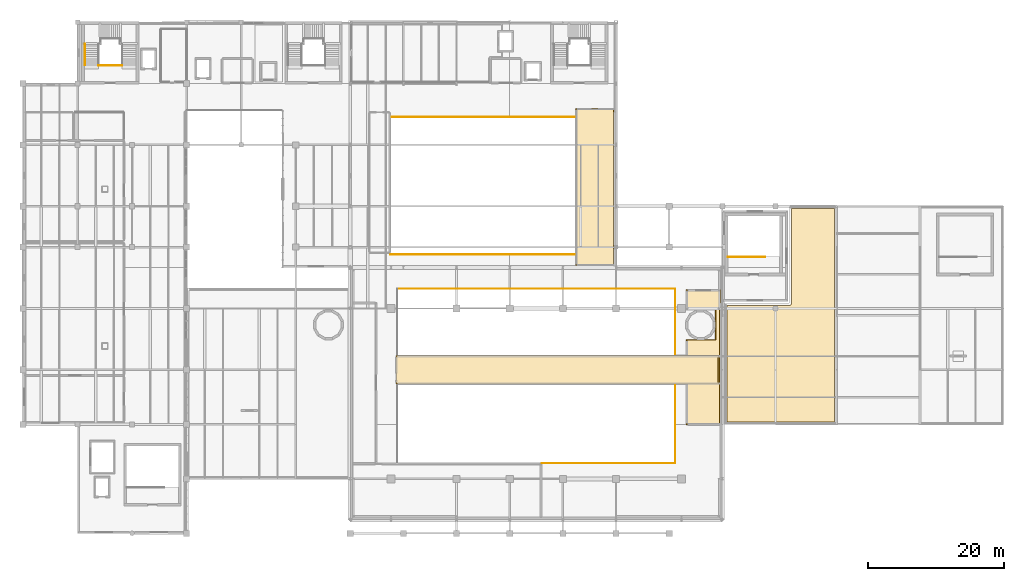
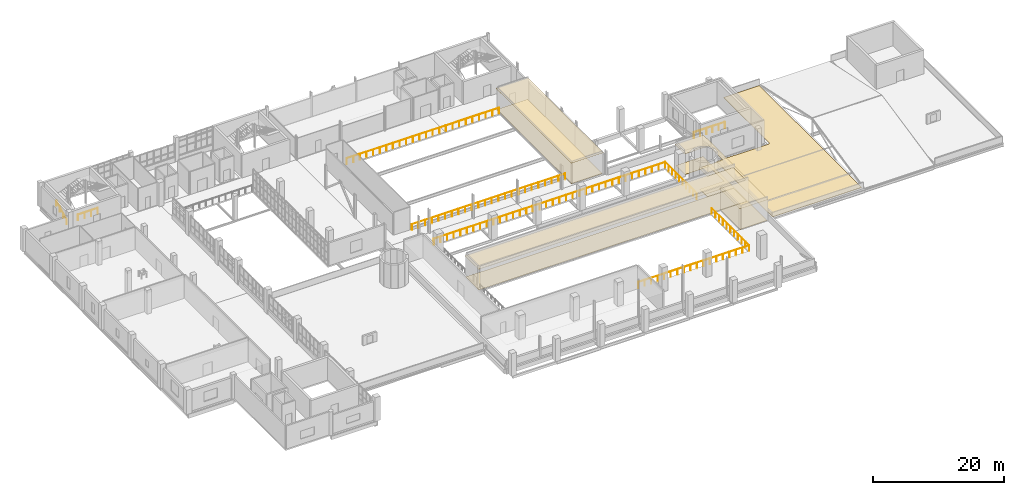
# One storey, part 84 of 85: 9 railings, 7 coverings.
"""IFC4 building model written with IfcOpenShell, lengths in metres."""

from ifc_helpers import new_model, si_unit, derived_unit, direction, frame, origin, origin_2d, place, context, subcontext, project, spatial, polyline, circle, outline, extrude, material, layer, layer_set, type_object, element, save


model = new_model("IFC4")

# Units and contexts
model_context = context("Model", 3, precision=1e-05, world=origin(), true_north=direction((0.0, 1.0)))
body_context = subcontext(model_context, "Body", "Model", "MODEL_VIEW")
ifc_project = project(units=[si_unit("LENGTHUNIT", "METRE"), si_unit("AREAUNIT", "SQUARE_METRE"), si_unit("VOLUMEUNIT", "CUBIC_METRE"), si_unit("PLANEANGLEUNIT", "RADIAN"), si_unit("MASSUNIT", "GRAM", prefix="KILO"), derived_unit("THERMALTRANSMITTANCEUNIT", [(si_unit("POWERUNIT", "WATT"), 1), (si_unit("LENGTHUNIT", "METRE"), -2), (si_unit("THERMODYNAMICTEMPERATUREUNIT", "KELVIN"), -1)])], contexts=[model_context])

# Site, building, storey
site_placement = place(None, origin())
site = spatial("IfcSite", under=ifc_project, at=site_placement, CompositionType="ELEMENT")
building_placement = place(site_placement, origin())
building = spatial("IfcBuilding", under=site, at=building_placement, Name="Nallur Shell Playhouse", CompositionType="ELEMENT")
storey_placement = place(building_placement, frame((0.0, 0.0, 19.800048828125)))
storey = spatial("IfcBuildingStorey", under=building, at=storey_placement, Name="L05", CompositionType="ELEMENT", Elevation=19.800048828125)

# Coverings
ifc_material_1 = material(Name="Micro-Perforated Teak Veneer Acoustic Baffle Ceiling")
ifc_layer_1 = layer(ifc_material_1, 0.044921875)
ifc_layer_set_1 = layer_set([ifc_layer_1], Name="Micro-Perforated Teak Veneer Acoustic Baffle Ceiling")
covering_type_1 = type_object("IfcCoveringType", Name="CV-CEIL-AC1", PredefinedType="CEILING", material=ifc_layer_set_1)
covering_1_placement = place(storey_placement, frame((0.0, 0.0, 3.905029296875)))
element("IfcCovering", 1, at=covering_1_placement, inside=storey, type_object=covering_type_1, Name="Main Theatre Acoustic Ceiling & Front-of-House Lighting Bridge suspended acoustic ceiling", PredefinedType="CEILING", context=body_context, shape_type="SweptSolid", body=[
    extrude(outline(polyline([(118.110107421875, 29.889892578125), (70.68994140625, 29.889892578125), (70.68994140625, 34.110107421875), (118.110107421875, 34.110107421875), (118.110107421875, 29.889892578125)])), origin(), (0.0, 0.0, 1.0), 0.044921875),
])
covering_2_placement = place(storey_placement, frame((0.0, 0.0, 3.905029296875)))
element("IfcCovering", 2, at=covering_2_placement, inside=storey, type_object=covering_type_1, Name="Repertoire Prop & Mask Archive suspended acoustic ceiling", PredefinedType="CEILING", context=body_context, shape_type="SweptSolid", body=[
    extrude(outline(polyline([(102.7099609375, 47.2900390625), (97.090087890625, 47.2900390625), (97.090087890625, 70.31005859375), (102.7099609375, 70.31005859375), (102.7099609375, 47.2900390625)])), origin(), (0.0, 0.0, 1.0), 0.044921875),
])
ifc_material_2 = material(Name="Mineral-Fibre High-NRC Suspended Ceiling Tile")
ifc_layer_2 = layer(ifc_material_2, 0.030029296875)
ifc_layer_set_2 = layer_set([ifc_layer_2], Name="Mineral-Fibre High-NRC Suspended Ceiling Tile")
covering_type_2 = type_object("IfcCoveringType", Name="CV-CEIL-AC2", PredefinedType="CEILING", material=ifc_layer_set_2)
covering_3_placement = place(storey_placement, frame((0.0, 0.0, 3.919921875)))
element("IfcCovering", 3, at=covering_3_placement, inside=storey, type_object=covering_type_2, Name="Main Theatre East Followspot & Acoustic Reflector Gallery suspended acoustic ceiling", PredefinedType="CEILING", context=body_context, shape_type="SweptSolid", body=[
    extrude(outline(polyline([(113.2900390625, 23.889892578125), (113.2900390625, 30.080078125), (117.919921875, 30.080078125), (117.919921875, 33.919921875), (113.2900390625, 33.919921875), (113.2900390625, 36.4599609375), (117.5400390625, 36.4599609375), (117.5400390625, 40.739990234375), (113.2900390625, 40.739990234375), (113.2900390625, 43.760009765625), (118.31005859375, 43.760009765625), (118.31005859375, 23.889892578125), (113.2900390625, 23.889892578125)])), origin(), (0.0, 0.0, 1.0), 0.030029296875),
])
ifc_material_3 = material(Name="Heavy-Duty Woven Wool Auditorium Acoustic Flooring")
ifc_layer_3 = layer(ifc_material_3, 0.02001953125)
ifc_layer_set_3 = layer_set([ifc_layer_3], Name="Heavy-Duty Woven Wool Auditorium Acoustic Flooring")
covering_type_3 = type_object("IfcCoveringType", Name="CV-FLOR-CARPET", PredefinedType="FLOORING", material=ifc_layer_set_3)
covering_4_placement = place(storey_placement, origin())
element("IfcCovering", 4, at=covering_4_placement, inside=storey, type_object=covering_type_3, Name="Main Theatre Acoustic Ceiling & Front-of-House Lighting Bridge floor finish", PredefinedType="FLOORING", context=body_context, shape_type="SweptSolid", body=[
    extrude(outline(polyline([(118.0, 30.0), (70.800048828125, 30.0), (70.800048828125, 34.0), (118.0, 34.0), (118.0, 30.0)])), origin(), (0.0, 0.0, 1.0), 0.02001953125),
])
covering_5_placement = place(storey_placement, origin())
element("IfcCovering", 5, at=covering_5_placement, inside=storey, type_object=covering_type_3, Name="Main Theatre East Followspot & Acoustic Reflector Gallery floor finish", PredefinedType="FLOORING", context=body_context, shape_type="SweptSolid", body=[
    extrude(outline(polyline([(113.39990234375, 24.0), (113.39990234375, 29.969970703125), (118.0, 29.969970703125), (118.0029296875, 29.97021484375), (118.005859375, 29.970703125), (118.0087890625, 29.97119140625), (118.011474609375, 29.972412109375), (118.01416015625, 29.973388671875), (118.0166015625, 29.97509765625), (118.01904296875, 29.976806640625), (118.021240234375, 29.978759765625), (118.023193359375, 29.98095703125), (118.02490234375, 29.9833984375), (118.026611328125, 29.98583984375), (118.027587890625, 29.988525390625), (118.02880859375, 29.9912109375), (118.029296875, 29.994140625), (118.02978515625, 29.9970703125), (118.030029296875, 30.0), (118.030029296875, 34.0), (118.02978515625, 34.0029296875), (118.029296875, 34.005859375), (118.02880859375, 34.0087890625), (118.027587890625, 34.011474609375), (118.026611328125, 34.01416015625), (118.02490234375, 34.0166015625), (118.023193359375, 34.01904296875), (118.021240234375, 34.021240234375), (118.01904296875, 34.023193359375), (118.0166015625, 34.02490234375), (118.01416015625, 34.026611328125), (118.011474609375, 34.027587890625), (118.0087890625, 34.02880859375), (118.005859375, 34.029296875), (118.0029296875, 34.02978515625), (118.0, 34.030029296875), (113.39990234375, 34.030029296875), (113.39990234375, 36.35009765625), (117.64990234375, 36.35009765625), (117.64990234375, 40.85009765625), (113.39990234375, 40.85009765625), (113.39990234375, 43.64990234375), (118.199951171875, 43.64990234375), (118.199951171875, 24.0), (113.39990234375, 24.0)])), origin(), (0.0, 0.0, 1.0), 0.02001953125),
])
ifc_material_4 = material(Name="Polished Chettinad Oxide & White Marble Terrazzo Flooring", Category="masonry")
ifc_layer_4 = layer(ifc_material_4, 0.050048828125)
ifc_layer_set_4 = layer_set([ifc_layer_4], Name="Polished Chettinad Oxide & White Marble Terrazzo Flooring")
covering_type_4 = type_object("IfcCoveringType", Name="CV-FLOR-TERRAZZO", PredefinedType="FLOORING", material=ifc_layer_set_4)
covering_6_placement = place(storey_placement, origin())
element("IfcCovering", 6, at=covering_6_placement, inside=storey, type_object=covering_type_4, Name="Repertoire Prop & Mask Archive floor finish", PredefinedType="FLOORING", context=body_context, shape_type="SweptSolid", body=[
    extrude(outline(polyline([(102.60009765625, 47.39990234375), (97.199951171875, 47.39990234375), (97.199951171875, 70.199951171875), (102.60009765625, 70.199951171875), (102.60009765625, 47.39990234375)])), origin(), (0.0, 0.0, 1.0), 0.050048828125),
])
ifc_material_5 = material(Name="TPO Reflective Waterproofing & Rigid PIR Roof Insulation")
ifc_layer_5 = layer(ifc_material_5, 0.06494140625)
ifc_layer_set_5 = layer_set([ifc_layer_5], Name="TPO Reflective Waterproofing & Rigid PIR Roof Insulation")
covering_type_5 = type_object("IfcCoveringType", Name="CV-ROOF-MEMB1", PredefinedType="ROOFING", material=ifc_layer_set_5)
covering_7_placement = place(storey_placement, origin())
element("IfcCovering", 7, at=covering_7_placement, inside=storey, type_object=covering_type_5, Name="L05 insulated waterproof roof covering 25", PredefinedType="ROOFING", context=body_context, shape_type="SweptSolid", body=[
    extrude(outline(polyline([(119.300048828125, 41.449951171875), (128.39990234375, 41.449951171875), (128.434326171875, 41.45166015625), (128.46826171875, 41.456787109375), (128.501708984375, 41.465087890625), (128.533935546875, 41.4765625), (128.56494140625, 41.4912109375), (128.594482421875, 41.509033203125), (128.6220703125, 41.529296875), (128.6474609375, 41.552490234375), (128.670654296875, 41.577880859375), (128.69091796875, 41.605712890625), (128.708740234375, 41.635009765625), (128.723388671875, 41.666015625), (128.73486328125, 41.698486328125), (128.743408203125, 41.731689453125), (128.748291015625, 41.765625), (128.75, 41.800048828125), (128.75, 55.64990234375), (135.050048828125, 55.64990234375), (135.050048828125, 24.35009765625), (119.300048828125, 24.35009765625), (119.300048828125, 41.449951171875)])), origin(), (0.0, 0.0, 1.0), 0.06494140625),
])

# Railings
ifc_material_6 = material(Name="Bronze-Anodised Foyer Void Acoustic Glass Guardrail", Category="glass")
railing_type_1 = type_object("IfcRailingType", Name="RL-BAL-1100", PredefinedType="BALUSTRADE", material=ifc_material_6)
railing_1_placement = place(storey_placement, frame((92.13525390625, 18.300048828125, 0.0)))
element("IfcRailing", 8, at=railing_1_placement, inside=storey, type_object=railing_type_1, Name="L05 interior void balustrade 027", PredefinedType="BALUSTRADE", context=body_context, shape_type="SweptSolid", body=[
    extrude(circle(Radius=0.02392578125, at=origin_2d()), frame((0.0, 0.0, 1.09619140625), z_axis=(1.0, 0.0, 0.0), x_axis=(0.0, 1.0, 0.0)), (0.0, 0.0, 1.0), 19.564697265625),
    extrude(circle(Radius=0.02099609375, at=origin_2d()), origin(), (0.0, 0.0, 1.0), 1.072021484375),
    extrude(circle(Radius=0.02099609375, at=origin_2d()), frame((1.15087890625, 0.0, 0.0)), (0.0, 0.0, 1.0), 1.072021484375),
    extrude(circle(Radius=0.02099609375, at=origin_2d()), frame((2.3017578125, 0.0, 0.0)), (0.0, 0.0, 1.0), 1.072021484375),
    extrude(circle(Radius=0.02099609375, at=origin_2d()), frame((3.45263671875, 0.0, 0.0)), (0.0, 0.0, 1.0), 1.072021484375),
    extrude(circle(Radius=0.02099609375, at=origin_2d()), frame((4.603515625, 0.0, 0.0)), (0.0, 0.0, 1.0), 1.072021484375),
    extrude(circle(Radius=0.02099609375, at=origin_2d()), frame((5.75439453125, 0.0, 0.0)), (0.0, 0.0, 1.0), 1.072021484375),
    extrude(circle(Radius=0.02099609375, at=origin_2d()), frame((6.9052734375, 0.0, 0.0)), (0.0, 0.0, 1.0), 1.072021484375),
    extrude(circle(Radius=0.02099609375, at=origin_2d()), frame((8.05615234375, 0.0, 0.0)), (0.0, 0.0, 1.0), 1.072021484375),
    extrude(circle(Radius=0.02099609375, at=origin_2d()), frame((9.20703125, 0.0, 0.0)), (0.0, 0.0, 1.0), 1.072021484375),
    extrude(circle(Radius=0.02099609375, at=origin_2d()), frame((10.357666015625, 0.0, 0.0)), (0.0, 0.0, 1.0), 1.072021484375),
    extrude(circle(Radius=0.02099609375, at=origin_2d()), frame((11.508544921875, 0.0, 0.0)), (0.0, 0.0, 1.0), 1.072021484375),
    extrude(circle(Radius=0.02099609375, at=origin_2d()), frame((12.659423828125, 0.0, 0.0)), (0.0, 0.0, 1.0), 1.072021484375),
    extrude(circle(Radius=0.02099609375, at=origin_2d()), frame((13.810302734375, 0.0, 0.0)), (0.0, 0.0, 1.0), 1.072021484375),
    extrude(circle(Radius=0.02099609375, at=origin_2d()), frame((14.961181640625, 0.0, 0.0)), (0.0, 0.0, 1.0), 1.072021484375),
    extrude(circle(Radius=0.02099609375, at=origin_2d()), frame((16.112060546875, 0.0, 0.0)), (0.0, 0.0, 1.0), 1.072021484375),
    extrude(circle(Radius=0.02099609375, at=origin_2d()), frame((17.262939453125, 0.0, 0.0)), (0.0, 0.0, 1.0), 1.072021484375),
    extrude(circle(Radius=0.02099609375, at=origin_2d()), frame((18.413818359375, 0.0, 0.0)), (0.0, 0.0, 1.0), 1.072021484375),
    extrude(circle(Radius=0.02099609375, at=origin_2d()), frame((19.564697265625, 0.0, 0.0)), (0.0, 0.0, 1.0), 1.072021484375),
])
railing_2_placement = place(storey_placement, frame((111.699951171875, 18.300048828125, 0.0)))
element("IfcRailing", 9, at=railing_2_placement, inside=storey, type_object=railing_type_1, Name="L05 interior void balustrade 028", PredefinedType="BALUSTRADE", context=body_context, shape_type="SweptSolid", body=[
    extrude(circle(Radius=0.02392578125, at=origin_2d()), frame((0.0, 0.0, 1.09619140625), z_axis=(0.0, 1.0, 0.0), x_axis=(-1.0, 0.0, 0.0)), (0.0, 0.0, 1.0), 11.419921875),
    extrude(circle(Radius=0.02099609375, at=origin_2d()), origin(), (0.0, 0.0, 1.0), 1.072021484375),
    extrude(circle(Radius=0.02099609375, at=origin_2d()), frame((0.0, 1.14208984375, 0.0)), (0.0, 0.0, 1.0), 1.072021484375),
    extrude(circle(Radius=0.02099609375, at=origin_2d()), frame((0.0, 2.283935546875, 0.0)), (0.0, 0.0, 1.0), 1.072021484375),
    extrude(circle(Radius=0.02099609375, at=origin_2d()), frame((0.0, 3.426025390625, 0.0)), (0.0, 0.0, 1.0), 1.072021484375),
    extrude(circle(Radius=0.02099609375, at=origin_2d()), frame((0.0, 4.56787109375, 0.0)), (0.0, 0.0, 1.0), 1.072021484375),
    extrude(circle(Radius=0.02099609375, at=origin_2d()), frame((0.0, 5.7099609375, 0.0)), (0.0, 0.0, 1.0), 1.072021484375),
    extrude(circle(Radius=0.02099609375, at=origin_2d()), frame((0.0, 6.85205078125, 0.0)), (0.0, 0.0, 1.0), 1.072021484375),
    extrude(circle(Radius=0.02099609375, at=origin_2d()), frame((0.0, 7.993896484375, 0.0)), (0.0, 0.0, 1.0), 1.072021484375),
    extrude(circle(Radius=0.02099609375, at=origin_2d()), frame((0.0, 9.135986328125, 0.0)), (0.0, 0.0, 1.0), 1.072021484375),
    extrude(circle(Radius=0.02099609375, at=origin_2d()), frame((0.0, 10.27783203125, 0.0)), (0.0, 0.0, 1.0), 1.072021484375),
    extrude(circle(Radius=0.02099609375, at=origin_2d()), frame((0.0, 11.419921875, 0.0)), (0.0, 0.0, 1.0), 1.072021484375),
])
railing_3_placement = place(storey_placement, frame((111.699951171875, 34.280029296875, 0.0)))
element("IfcRailing", 10, at=railing_3_placement, inside=storey, type_object=railing_type_1, Name="L05 interior void balustrade 030", PredefinedType="BALUSTRADE", context=body_context, shape_type="SweptSolid", body=[
    extrude(circle(Radius=0.02392578125, at=origin_2d()), frame((0.0, 0.0, 1.09619140625), z_axis=(0.0, 1.0, 0.0), x_axis=(-1.0, 0.0, 0.0)), (0.0, 0.0, 1.0), 9.619873046875),
    extrude(circle(Radius=0.02099609375, at=origin_2d()), origin(), (0.0, 0.0, 1.0), 1.072021484375),
    extrude(circle(Radius=0.02099609375, at=origin_2d()), frame((0.0, 1.06884765625, 0.0)), (0.0, 0.0, 1.0), 1.072021484375),
    extrude(circle(Radius=0.02099609375, at=origin_2d()), frame((0.0, 2.1376953125, 0.0)), (0.0, 0.0, 1.0), 1.072021484375),
    extrude(circle(Radius=0.02099609375, at=origin_2d()), frame((0.0, 3.20654296875, 0.0)), (0.0, 0.0, 1.0), 1.072021484375),
    extrude(circle(Radius=0.02099609375, at=origin_2d()), frame((0.0, 4.275390625, 0.0)), (0.0, 0.0, 1.0), 1.072021484375),
    extrude(circle(Radius=0.02099609375, at=origin_2d()), frame((0.0, 5.344482421875, 0.0)), (0.0, 0.0, 1.0), 1.072021484375),
    extrude(circle(Radius=0.02099609375, at=origin_2d()), frame((0.0, 6.413330078125, 0.0)), (0.0, 0.0, 1.0), 1.072021484375),
    extrude(circle(Radius=0.02099609375, at=origin_2d()), frame((0.0, 7.482177734375, 0.0)), (0.0, 0.0, 1.0), 1.072021484375),
    extrude(circle(Radius=0.02099609375, at=origin_2d()), frame((0.0, 8.551025390625, 0.0)), (0.0, 0.0, 1.0), 1.072021484375),
    extrude(circle(Radius=0.02099609375, at=origin_2d()), frame((0.0, 9.619873046875, 0.0)), (0.0, 0.0, 1.0), 1.072021484375),
])
railing_4_placement = place(storey_placement, frame((111.699951171875, 43.89990234375, 0.0)))
element("IfcRailing", 11, at=railing_4_placement, inside=storey, type_object=railing_type_1, Name="L05 interior void balustrade 031", PredefinedType="BALUSTRADE", context=body_context, shape_type="SweptSolid", body=[
    extrude(circle(Radius=0.02392578125, at=origin_2d()), frame((0.0, 0.0, 1.09619140625), z_axis=(-1.0, 0.0, 0.0), x_axis=(0.0, -1.0, 0.0)), (0.0, 0.0, 1.0), 40.800048828125),
    extrude(circle(Radius=0.02099609375, at=origin_2d()), origin(), (0.0, 0.0, 1.0), 1.072021484375),
    extrude(circle(Radius=0.02099609375, at=origin_2d()), frame((-1.165771484375, 0.0, 0.0)), (0.0, 0.0, 1.0), 1.072021484375),
    extrude(circle(Radius=0.02099609375, at=origin_2d()), frame((-2.33154296875, 0.0, 0.0)), (0.0, 0.0, 1.0), 1.072021484375),
    extrude(circle(Radius=0.02099609375, at=origin_2d()), frame((-3.4970703125, 0.0, 0.0)), (0.0, 0.0, 1.0), 1.072021484375),
    extrude(circle(Radius=0.02099609375, at=origin_2d()), frame((-4.662841796875, 0.0, 0.0)), (0.0, 0.0, 1.0), 1.072021484375),
    extrude(circle(Radius=0.02099609375, at=origin_2d()), frame((-5.82861328125, 0.0, 0.0)), (0.0, 0.0, 1.0), 1.072021484375),
    extrude(circle(Radius=0.02099609375, at=origin_2d()), frame((-6.994384765625, 0.0, 0.0)), (0.0, 0.0, 1.0), 1.072021484375),
    extrude(circle(Radius=0.02099609375, at=origin_2d()), frame((-8.159912109375, 0.0, 0.0)), (0.0, 0.0, 1.0), 1.072021484375),
    extrude(circle(Radius=0.02099609375, at=origin_2d()), frame((-9.32568359375, 0.0, 0.0)), (0.0, 0.0, 1.0), 1.072021484375),
    extrude(circle(Radius=0.02099609375, at=origin_2d()), frame((-10.491455078125, 0.0, 0.0)), (0.0, 0.0, 1.0), 1.072021484375),
    extrude(circle(Radius=0.02099609375, at=origin_2d()), frame((-11.6572265625, 0.0, 0.0)), (0.0, 0.0, 1.0), 1.072021484375),
    extrude(circle(Radius=0.02099609375, at=origin_2d()), frame((-12.82275390625, 0.0, 0.0)), (0.0, 0.0, 1.0), 1.072021484375),
    extrude(circle(Radius=0.02099609375, at=origin_2d()), frame((-13.988525390625, 0.0, 0.0)), (0.0, 0.0, 1.0), 1.072021484375),
    extrude(circle(Radius=0.02099609375, at=origin_2d()), frame((-15.154296875, 0.0, 0.0)), (0.0, 0.0, 1.0), 1.072021484375),
    extrude(circle(Radius=0.02099609375, at=origin_2d()), frame((-16.320068359375, 0.0, 0.0)), (0.0, 0.0, 1.0), 1.072021484375),
    extrude(circle(Radius=0.02099609375, at=origin_2d()), frame((-17.48583984375, 0.0, 0.0)), (0.0, 0.0, 1.0), 1.072021484375),
    extrude(circle(Radius=0.02099609375, at=origin_2d()), frame((-18.6513671875, 0.0, 0.0)), (0.0, 0.0, 1.0), 1.072021484375),
    extrude(circle(Radius=0.02099609375, at=origin_2d()), frame((-19.817138671875, 0.0, 0.0)), (0.0, 0.0, 1.0), 1.072021484375),
    extrude(circle(Radius=0.02099609375, at=origin_2d()), frame((-20.98291015625, 0.0, 0.0)), (0.0, 0.0, 1.0), 1.072021484375),
    extrude(circle(Radius=0.02099609375, at=origin_2d()), frame((-22.148681640625, 0.0, 0.0)), (0.0, 0.0, 1.0), 1.072021484375),
    extrude(circle(Radius=0.02099609375, at=origin_2d()), frame((-23.314208984375, 0.0, 0.0)), (0.0, 0.0, 1.0), 1.072021484375),
    extrude(circle(Radius=0.02099609375, at=origin_2d()), frame((-24.47998046875, 0.0, 0.0)), (0.0, 0.0, 1.0), 1.072021484375),
    extrude(circle(Radius=0.02099609375, at=origin_2d()), frame((-25.645751953125, 0.0, 0.0)), (0.0, 0.0, 1.0), 1.072021484375),
    extrude(circle(Radius=0.02099609375, at=origin_2d()), frame((-26.8115234375, 0.0, 0.0)), (0.0, 0.0, 1.0), 1.072021484375),
    extrude(circle(Radius=0.02099609375, at=origin_2d()), frame((-27.977294921875, 0.0, 0.0)), (0.0, 0.0, 1.0), 1.072021484375),
    extrude(circle(Radius=0.02099609375, at=origin_2d()), frame((-29.142822265625, 0.0, 0.0)), (0.0, 0.0, 1.0), 1.072021484375),
    extrude(circle(Radius=0.02099609375, at=origin_2d()), frame((-30.30859375, 0.0, 0.0)), (0.0, 0.0, 1.0), 1.072021484375),
    extrude(circle(Radius=0.02099609375, at=origin_2d()), frame((-31.474365234375, 0.0, 0.0)), (0.0, 0.0, 1.0), 1.072021484375),
    extrude(circle(Radius=0.02099609375, at=origin_2d()), frame((-32.64013671875, 0.0, 0.0)), (0.0, 0.0, 1.0), 1.072021484375),
    extrude(circle(Radius=0.02099609375, at=origin_2d()), frame((-33.8056640625, 0.0, 0.0)), (0.0, 0.0, 1.0), 1.072021484375),
    extrude(circle(Radius=0.02099609375, at=origin_2d()), frame((-34.971435546875, 0.0, 0.0)), (0.0, 0.0, 1.0), 1.072021484375),
    extrude(circle(Radius=0.02099609375, at=origin_2d()), frame((-36.13720703125, 0.0, 0.0)), (0.0, 0.0, 1.0), 1.072021484375),
    extrude(circle(Radius=0.02099609375, at=origin_2d()), frame((-37.302978515625, 0.0, 0.0)), (0.0, 0.0, 1.0), 1.072021484375),
    extrude(circle(Radius=0.02099609375, at=origin_2d()), frame((-38.468505859375, 0.0, 0.0)), (0.0, 0.0, 1.0), 1.072021484375),
    extrude(circle(Radius=0.02099609375, at=origin_2d()), frame((-39.63427734375, 0.0, 0.0)), (0.0, 0.0, 1.0), 1.072021484375),
    extrude(circle(Radius=0.02099609375, at=origin_2d()), frame((-40.800048828125, 0.0, 0.0)), (0.0, 0.0, 1.0), 1.072021484375),
])
railing_5_placement = place(storey_placement, frame((69.89990234375, 48.89990234375, 0.0)))
element("IfcRailing", 12, at=railing_5_placement, inside=storey, type_object=railing_type_1, Name="L05 interior void balustrade 033", PredefinedType="BALUSTRADE", context=body_context, shape_type="SweptSolid", body=[
    extrude(circle(Radius=0.02392578125, at=origin_2d()), frame((0.0, 0.0, 1.09619140625), z_axis=(1.0, 0.0, 0.0), x_axis=(0.0, 1.0, 0.0)), (0.0, 0.0, 1.0), 27.02001953125),
    extrude(circle(Radius=0.02099609375, at=origin_2d()), origin(), (0.0, 0.0, 1.0), 1.072021484375),
    extrude(circle(Radius=0.02099609375, at=origin_2d()), frame((1.1748046875, 0.0, 0.0)), (0.0, 0.0, 1.0), 1.072021484375),
    extrude(circle(Radius=0.02099609375, at=origin_2d()), frame((2.349609375, 0.0, 0.0)), (0.0, 0.0, 1.0), 1.072021484375),
    extrude(circle(Radius=0.02099609375, at=origin_2d()), frame((3.5244140625, 0.0, 0.0)), (0.0, 0.0, 1.0), 1.072021484375),
    extrude(circle(Radius=0.02099609375, at=origin_2d()), frame((4.69921875, 0.0, 0.0)), (0.0, 0.0, 1.0), 1.072021484375),
    extrude(circle(Radius=0.02099609375, at=origin_2d()), frame((5.8740234375, 0.0, 0.0)), (0.0, 0.0, 1.0), 1.072021484375),
    extrude(circle(Radius=0.02099609375, at=origin_2d()), frame((7.048583984375, 0.0, 0.0)), (0.0, 0.0, 1.0), 1.072021484375),
    extrude(circle(Radius=0.02099609375, at=origin_2d()), frame((8.223388671875, 0.0, 0.0)), (0.0, 0.0, 1.0), 1.072021484375),
    extrude(circle(Radius=0.02099609375, at=origin_2d()), frame((9.398193359375, 0.0, 0.0)), (0.0, 0.0, 1.0), 1.072021484375),
    extrude(circle(Radius=0.02099609375, at=origin_2d()), frame((10.572998046875, 0.0, 0.0)), (0.0, 0.0, 1.0), 1.072021484375),
    extrude(circle(Radius=0.02099609375, at=origin_2d()), frame((11.747802734375, 0.0, 0.0)), (0.0, 0.0, 1.0), 1.072021484375),
    extrude(circle(Radius=0.02099609375, at=origin_2d()), frame((12.922607421875, 0.0, 0.0)), (0.0, 0.0, 1.0), 1.072021484375),
    extrude(circle(Radius=0.02099609375, at=origin_2d()), frame((14.097412109375, 0.0, 0.0)), (0.0, 0.0, 1.0), 1.072021484375),
    extrude(circle(Radius=0.02099609375, at=origin_2d()), frame((15.272216796875, 0.0, 0.0)), (0.0, 0.0, 1.0), 1.072021484375),
    extrude(circle(Radius=0.02099609375, at=origin_2d()), frame((16.447021484375, 0.0, 0.0)), (0.0, 0.0, 1.0), 1.072021484375),
    extrude(circle(Radius=0.02099609375, at=origin_2d()), frame((17.621826171875, 0.0, 0.0)), (0.0, 0.0, 1.0), 1.072021484375),
    extrude(circle(Radius=0.02099609375, at=origin_2d()), frame((18.796630859375, 0.0, 0.0)), (0.0, 0.0, 1.0), 1.072021484375),
    extrude(circle(Radius=0.02099609375, at=origin_2d()), frame((19.971435546875, 0.0, 0.0)), (0.0, 0.0, 1.0), 1.072021484375),
    extrude(circle(Radius=0.02099609375, at=origin_2d()), frame((21.14599609375, 0.0, 0.0)), (0.0, 0.0, 1.0), 1.072021484375),
    extrude(circle(Radius=0.02099609375, at=origin_2d()), frame((22.32080078125, 0.0, 0.0)), (0.0, 0.0, 1.0), 1.072021484375),
    extrude(circle(Radius=0.02099609375, at=origin_2d()), frame((23.49560546875, 0.0, 0.0)), (0.0, 0.0, 1.0), 1.072021484375),
    extrude(circle(Radius=0.02099609375, at=origin_2d()), frame((24.67041015625, 0.0, 0.0)), (0.0, 0.0, 1.0), 1.072021484375),
    extrude(circle(Radius=0.02099609375, at=origin_2d()), frame((25.84521484375, 0.0, 0.0)), (0.0, 0.0, 1.0), 1.072021484375),
    extrude(circle(Radius=0.02099609375, at=origin_2d()), frame((27.02001953125, 0.0, 0.0)), (0.0, 0.0, 1.0), 1.072021484375),
])
railing_6_placement = place(storey_placement, frame((96.919921875, 69.10009765625, 0.0)))
element("IfcRailing", 13, at=railing_6_placement, inside=storey, type_object=railing_type_1, Name="L05 interior void balustrade 034", PredefinedType="BALUSTRADE", context=body_context, shape_type="SweptSolid", body=[
    extrude(circle(Radius=0.02392578125, at=origin_2d()), frame((0.0, 0.0, 1.09619140625), z_axis=(-1.0, 0.0, 0.0), x_axis=(0.0, -1.0, 0.0)), (0.0, 0.0, 1.0), 26.83984375),
    extrude(circle(Radius=0.02099609375, at=origin_2d()), origin(), (0.0, 0.0, 1.0), 1.072021484375),
    extrude(circle(Radius=0.02099609375, at=origin_2d()), frame((-1.1669921875, 0.0, 0.0)), (0.0, 0.0, 1.0), 1.072021484375),
    extrude(circle(Radius=0.02099609375, at=origin_2d()), frame((-2.333984375, 0.0, 0.0)), (0.0, 0.0, 1.0), 1.072021484375),
    extrude(circle(Radius=0.02099609375, at=origin_2d()), frame((-3.500732421875, 0.0, 0.0)), (0.0, 0.0, 1.0), 1.072021484375),
    extrude(circle(Radius=0.02099609375, at=origin_2d()), frame((-4.667724609375, 0.0, 0.0)), (0.0, 0.0, 1.0), 1.072021484375),
    extrude(circle(Radius=0.02099609375, at=origin_2d()), frame((-5.834716796875, 0.0, 0.0)), (0.0, 0.0, 1.0), 1.072021484375),
    extrude(circle(Radius=0.02099609375, at=origin_2d()), frame((-7.001708984375, 0.0, 0.0)), (0.0, 0.0, 1.0), 1.072021484375),
    extrude(circle(Radius=0.02099609375, at=origin_2d()), frame((-8.168701171875, 0.0, 0.0)), (0.0, 0.0, 1.0), 1.072021484375),
    extrude(circle(Radius=0.02099609375, at=origin_2d()), frame((-9.335693359375, 0.0, 0.0)), (0.0, 0.0, 1.0), 1.072021484375),
    extrude(circle(Radius=0.02099609375, at=origin_2d()), frame((-10.50244140625, 0.0, 0.0)), (0.0, 0.0, 1.0), 1.072021484375),
    extrude(circle(Radius=0.02099609375, at=origin_2d()), frame((-11.66943359375, 0.0, 0.0)), (0.0, 0.0, 1.0), 1.072021484375),
    extrude(circle(Radius=0.02099609375, at=origin_2d()), frame((-12.83642578125, 0.0, 0.0)), (0.0, 0.0, 1.0), 1.072021484375),
    extrude(circle(Radius=0.02099609375, at=origin_2d()), frame((-14.00341796875, 0.0, 0.0)), (0.0, 0.0, 1.0), 1.072021484375),
    extrude(circle(Radius=0.02099609375, at=origin_2d()), frame((-15.17041015625, 0.0, 0.0)), (0.0, 0.0, 1.0), 1.072021484375),
    extrude(circle(Radius=0.02099609375, at=origin_2d()), frame((-16.33740234375, 0.0, 0.0)), (0.0, 0.0, 1.0), 1.072021484375),
    extrude(circle(Radius=0.02099609375, at=origin_2d()), frame((-17.504150390625, 0.0, 0.0)), (0.0, 0.0, 1.0), 1.072021484375),
    extrude(circle(Radius=0.02099609375, at=origin_2d()), frame((-18.671142578125, 0.0, 0.0)), (0.0, 0.0, 1.0), 1.072021484375),
    extrude(circle(Radius=0.02099609375, at=origin_2d()), frame((-19.838134765625, 0.0, 0.0)), (0.0, 0.0, 1.0), 1.072021484375),
    extrude(circle(Radius=0.02099609375, at=origin_2d()), frame((-21.005126953125, 0.0, 0.0)), (0.0, 0.0, 1.0), 1.072021484375),
    extrude(circle(Radius=0.02099609375, at=origin_2d()), frame((-22.172119140625, 0.0, 0.0)), (0.0, 0.0, 1.0), 1.072021484375),
    extrude(circle(Radius=0.02099609375, at=origin_2d()), frame((-23.339111328125, 0.0, 0.0)), (0.0, 0.0, 1.0), 1.072021484375),
    extrude(circle(Radius=0.02099609375, at=origin_2d()), frame((-24.505859375, 0.0, 0.0)), (0.0, 0.0, 1.0), 1.072021484375),
    extrude(circle(Radius=0.02099609375, at=origin_2d()), frame((-25.6728515625, 0.0, 0.0)), (0.0, 0.0, 1.0), 1.072021484375),
    extrude(circle(Radius=0.02099609375, at=origin_2d()), frame((-26.83984375, 0.0, 0.0)), (0.0, 0.0, 1.0), 1.072021484375),
])
ifc_material_7 = material(Name="Brushed Stainless Steel 316 Balustrade & Toughened Infill", Category="steel")
railing_type_2 = type_object("IfcRailingType", Name="RL-GUARD-1100", PredefinedType="BALUSTRADE", material=ifc_material_7)
railing_7_placement = place(storey_placement, frame((119.43994140625, 48.5400390625, 0.0)))
element("IfcRailing", 14, at=railing_7_placement, inside=storey, type_object=railing_type_2, Name="Stair ST-02 top landing guardrail (L05)", PredefinedType="BALUSTRADE", context=body_context, shape_type="SweptSolid", body=[
    extrude(circle(Radius=0.02392578125, at=origin_2d()), frame((0.0, 0.0, 1.1357421875), z_axis=(1.0, 0.0, 0.0), x_axis=(0.0, 1.0, 0.0)), (0.0, 0.0, 1.0), 5.43994140625),
    extrude(circle(Radius=0.02099609375, at=origin_2d()), origin(), (0.0, 0.0, 1.0), 1.11181640625),
    extrude(circle(Radius=0.02099609375, at=origin_2d()), frame((1.087890625, 0.0, 0.0)), (0.0, 0.0, 1.0), 1.11181640625),
    extrude(circle(Radius=0.02099609375, at=origin_2d()), frame((2.176025390625, 0.0, 0.0)), (0.0, 0.0, 1.0), 1.11181640625),
    extrude(circle(Radius=0.02099609375, at=origin_2d()), frame((3.263916015625, 0.0, 0.0)), (0.0, 0.0, 1.0), 1.11181640625),
    extrude(circle(Radius=0.02099609375, at=origin_2d()), frame((4.35205078125, 0.0, 0.0)), (0.0, 0.0, 1.0), 1.11181640625),
    extrude(circle(Radius=0.02099609375, at=origin_2d()), frame((5.43994140625, 0.0, 0.0)), (0.0, 0.0, 1.0), 1.11181640625),
])
railing_8_placement = place(storey_placement, frame((27.06005859375, 76.639892578125, 0.0)))
element("IfcRailing", 15, at=railing_8_placement, inside=storey, type_object=railing_type_2, Name="Stair ST-06-L05 floor-well guard", PredefinedType="BALUSTRADE", context=body_context, shape_type="SweptSolid", body=[
    extrude(circle(Radius=0.02392578125, at=origin_2d()), frame((0.0, 0.0, 1.09619140625), z_axis=(1.0, 0.0, 0.0), x_axis=(0.0, 1.0, 0.0)), (0.0, 0.0, 1.0), 3.47998046875),
    extrude(circle(Radius=0.02099609375, at=origin_2d()), origin(), (0.0, 0.0, 1.0), 1.072021484375),
    extrude(circle(Radius=0.02099609375, at=origin_2d()), frame((1.159912109375, 0.0, 0.0)), (0.0, 0.0, 1.0), 1.072021484375),
    extrude(circle(Radius=0.02099609375, at=origin_2d()), frame((2.320068359375, 0.0, 0.0)), (0.0, 0.0, 1.0), 1.072021484375),
    extrude(circle(Radius=0.02099609375, at=origin_2d()), frame((3.47998046875, 0.0, 0.0)), (0.0, 0.0, 1.0), 1.072021484375),
])
ifc_material_8 = material(Name="Stainless Steel 316 Continuous Tubular Handrail", Category="steel")
railing_type_3 = type_object("IfcRailingType", Name="RL-HANDRAIL-900", PredefinedType="HANDRAIL", material=ifc_material_8)
railing_9_placement = place(storey_placement, frame((25.080078125, 76.699951171875, 0.0)))
element("IfcRailing", 16, at=railing_9_placement, inside=storey, type_object=railing_type_3, Name="Stair ST-06-L05 outer handrail F1", PredefinedType="HANDRAIL", context=body_context, shape_type="SweptSolid", body=[
    extrude(circle(Radius=0.02392578125, at=origin_2d()), frame((0.0, 0.0, 0.89599609375), z_axis=(0.0, 0.894793320535, 0.446480585833), x_axis=(-1.0, 0.0, 0.0)), (0.0, 0.0, 1.0), 3.464599609375),
    extrude(circle(Radius=0.02099609375, at=origin_2d()), origin(), (0.0, 0.0, 1.0), 0.871826171875),
    extrude(circle(Radius=0.02099609375, at=origin_2d()), frame((0.0, 1.033447265625, 0.515625)), (0.0, 0.0, 1.0), 0.871826171875),
    extrude(circle(Radius=0.02099609375, at=origin_2d()), frame((0.0, 2.066650390625, 1.03125)), (0.0, 0.0, 1.0), 0.871826171875),
    extrude(circle(Radius=0.02099609375, at=origin_2d()), frame((0.0, 3.10009765625, 1.546875)), (0.0, 0.0, 1.0), 0.871826171875),
])

save(model, "model.ifc")
